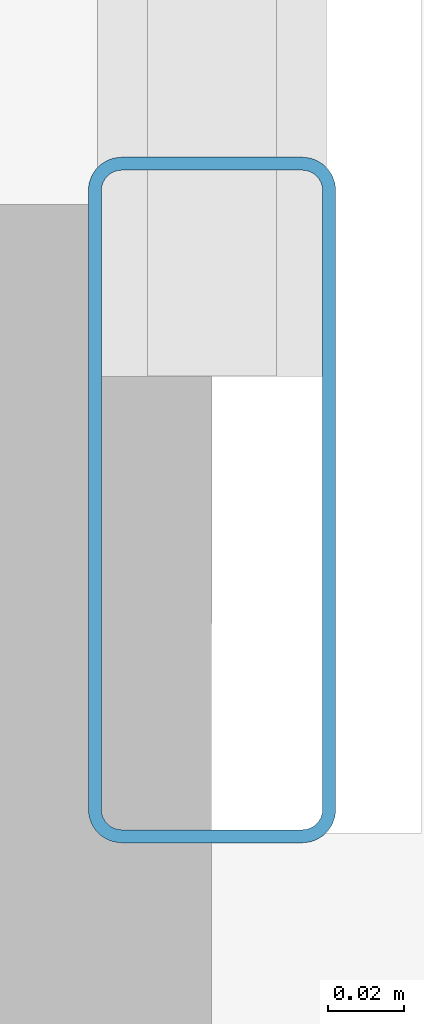
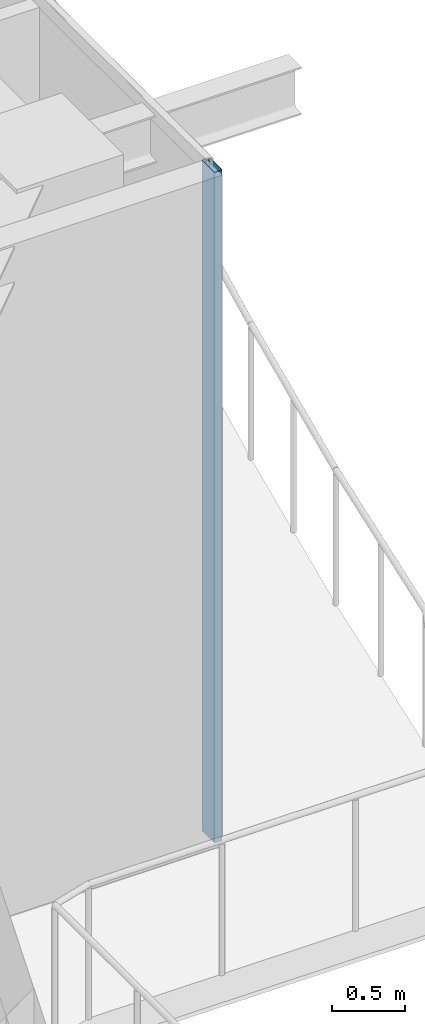
# One storey, part 14 of 40: 1 member, 1 element without a shape of its own.
"""IFC4 building model written with IfcOpenShell, lengths in metres."""

from ifc_helpers import new_model, si_unit, direction, frame, origin, origin_2d, place, context, subcontext, project, spatial, hollow_rectangle, extrude, source, transform, mapped, material, layer, layer_set, material_profile, profile_set, type_object, element, aggregate, save


model = new_model("IFC4")

# Units and contexts
model_context = context("Model", 3, precision=1e-05, world=origin(), true_north=direction((0.0, 1.0)))
body_context = subcontext(model_context, "Body", "Model", "MODEL_VIEW")
ifc_project = project(units=[si_unit("LENGTHUNIT", "METRE"), si_unit("AREAUNIT", "SQUARE_METRE"), si_unit("VOLUMEUNIT", "CUBIC_METRE"), si_unit("PLANEANGLEUNIT", "RADIAN"), si_unit("MASSUNIT", "GRAM", prefix="KILO")], contexts=[model_context])

# Site, building, storey
site_placement = place(None, origin())
site = spatial("IfcSite", under=ifc_project, at=site_placement, CompositionType="ELEMENT")
building_placement = place(site_placement, origin())
building = spatial("IfcBuilding", under=site, at=building_placement, Name="Serunith Strait Residences", CompositionType="ELEMENT")
storey_placement = place(building_placement, frame((0.0, 0.0, 347.949951171875)))
storey = spatial("IfcBuildingStorey", under=building, at=storey_placement, Name="L86", CompositionType="ELEMENT", Elevation=347.949951171875)

# Curtain wall, member
ifc_material = material(Name="Brushed Stainless-Silver Aluminium", Category="aluminium")
ifc_layer = layer(ifc_material, 0.199951171875, Name="Brushed Stainless-Silver Aluminium")
ifc_layer_set = layer_set([ifc_layer], Name="Brushed Stainless-Silver Aluminium")
curtain_wall_type = type_object("IfcCurtainWallType", Name="CW-SYS5", PredefinedType="NOTDEFINED", material=ifc_layer_set)
curtain_wall_placement = place(storey_placement, origin())
curtain_wall = element("IfcCurtainWall", 1, at=curtain_wall_placement, inside=storey, type_object=curtain_wall_type, Name="L86 E Unitised Fritted Curtain Wall", PredefinedType="NOTDEFINED")
ifc_material_profile = material_profile(ifc_material, hollow_rectangle(XDim=0.06494140625, YDim=0.179931640625, WallThickness=0.00341796875, InnerFilletRadius=0.00537109375, OuterFilletRadius=0.0087890625, at=origin_2d()), Name="ALU 180x65x3.5")
ifc_profile_set = profile_set([ifc_material_profile], Name="Brushed Stainless-Silver Aluminium")
member_type = type_object("IfcMemberType", Name="CW-SYS5-MULL", PredefinedType="MULLION", material=ifc_profile_set)
shared_shape = source(origin(), body_context, "Body", "SweptSolid", [
    extrude(hollow_rectangle(XDim=0.06494140625, YDim=0.179931640625, WallThickness=0.00341796875, InnerFilletRadius=0.00537109375, OuterFilletRadius=0.0087890625, at=origin_2d()), origin(), (0.0, 0.0, 1.0), 5.625),
])
member_placement = place(storey_placement, frame((54.0, 11.032470703125, 0.0), z_axis=(0.0, 0.0, 1.0), x_axis=(-1.0, 0.0, 0.0)))
member = element("IfcMember", 2, at=member_placement, type_object=member_type, Name="CW-5 mullion 1", PredefinedType="MULLION", context=body_context, shape_type="MappedRepresentation", body=[
    mapped(shared_shape, transform((0.0, 0.0, 0.0), scale=1.0)),
])
aggregate(curtain_wall, [member])

save(model, "model.ifc")
